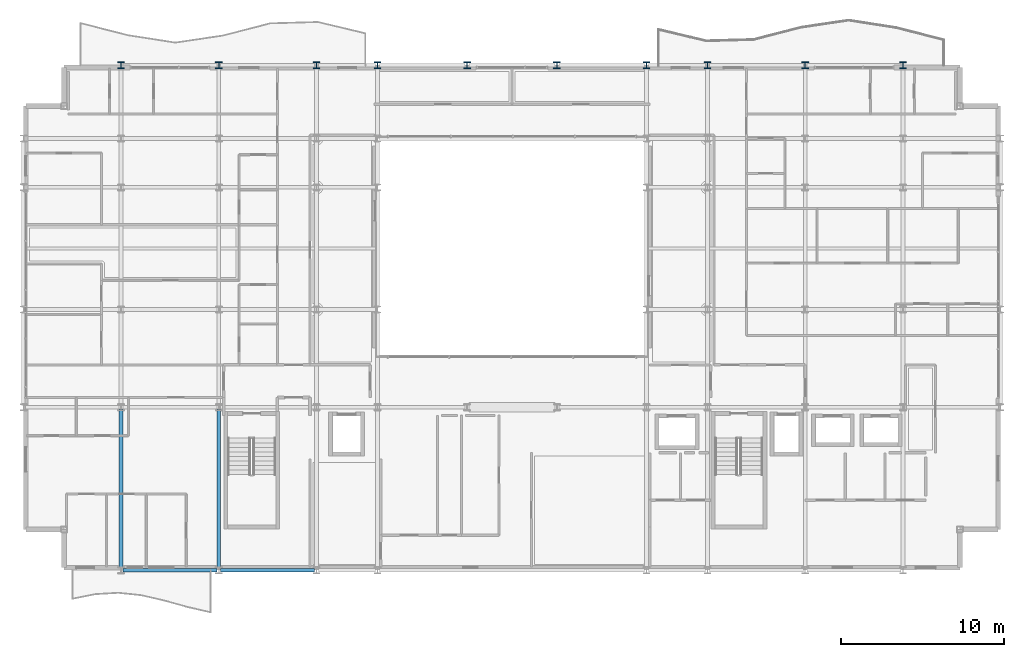
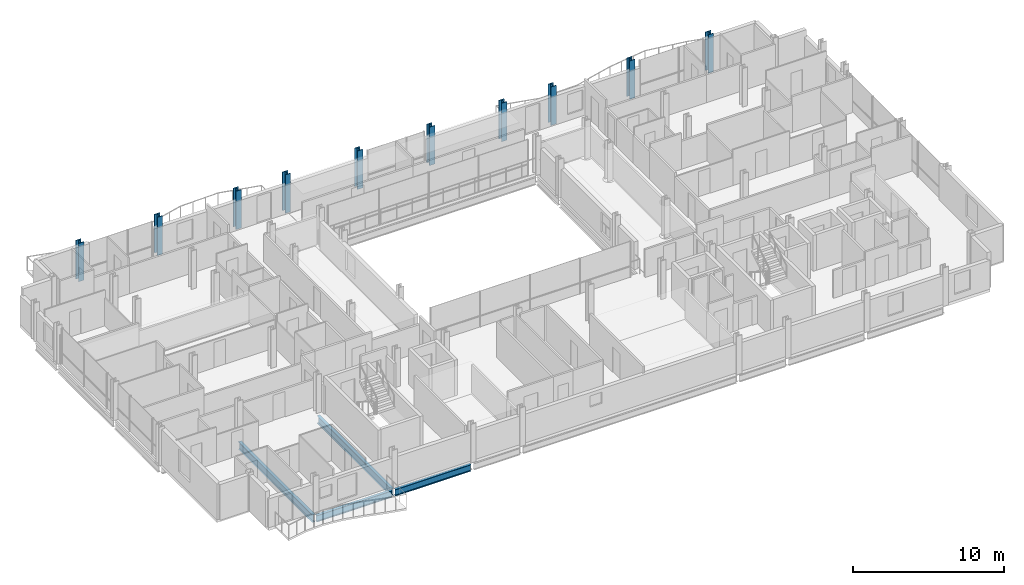
# One storey, part 3 of 41: 10 columns, 4 beams.
"""IFC4 building model written with IfcOpenShell, lengths in metres."""

import ifcopenshell
import ifcopenshell.guid

model = None  # the IFC model being written
_history = None  # IfcOwnerHistory: only IFC2X3 demands one
_inside = {}  # id of a spatial element -> (the spatial element, [elements in it])
_under = {}  # id of a project, library or spatial element -> (it, [spatial elements below it])
_declared = {}  # id of a project -> (the project, [libraries it declares])
_typed = {}  # id of a type object -> (the type object, [elements of that type])
_made_of = {}  # id of a material, layer set ... -> (it, [elements and type objects made of it])


def new_model(schema):
    """Start an empty IFC model of exactly this schema.

    Asked for "IFC4X3", IfcOpenShell would pick the latest addendum, in which some entities
    have other attributes; the version numbers below select the first issue.
    IFC2X3 requires an IfcOwnerHistory on every rooted entity: one is made here for all.
    """
    global model, _history
    if schema == "IFC4X3":
        model = ifcopenshell.file(schema_version=(4, 3, 0, 0))
    else:
        model = ifcopenshell.file(schema=schema)
    _inside.clear()
    _under.clear()
    _declared.clear()
    _typed.clear()
    _made_of.clear()
    _history = None
    if model.schema == "IFC2X3":
        org = make("IfcOrganization", Name="unknown")
        user = make(
            "IfcPersonAndOrganization",
            ThePerson=make("IfcPerson", FamilyName="unknown"),
            TheOrganization=org,
        )
        app = make(
            "IfcApplication",
            ApplicationDeveloper=org,
            Version="unknown",
            ApplicationFullName="unknown",
            ApplicationIdentifier="unknown",
        )
        _history = make(
            "IfcOwnerHistory",
            OwningUser=user,
            OwningApplication=app,
            ChangeAction="ADDED",
            CreationDate=0,
        )
    return model


def make(cls, **values):
    """One entity of the class cls with the attributes given. An attribute that is None is left unset."""
    return model.create_entity(
        cls, **{name: value for name, value in values.items() if value is not None}
    )


def rooted(cls, **values):
    """An entity with a GlobalId (a new one), such as an element, a storey or a relation."""
    return make(cls, GlobalId=ifcopenshell.guid.new(), OwnerHistory=_history, **values)


def si_unit(unit_type, name, prefix=None):
    """IfcSIUnit, for example si_unit("LENGTHUNIT", "METRE", prefix="MILLI")."""
    return make("IfcSIUnit", UnitType=unit_type, Prefix=prefix, Name=name)


def assignment(units):
    """IfcUnitAssignment: the units of a project."""
    return None if units is None else make("IfcUnitAssignment", Units=units)


def point(xyz):
    """IfcCartesianPoint."""
    return None if xyz is None else make("IfcCartesianPoint", Coordinates=xyz)


def direction(xyz):
    """IfcDirection."""
    return None if xyz is None else make("IfcDirection", DirectionRatios=xyz)


def frame(location, z_axis=None, x_axis=None):
    """IfcAxis2Placement3D, a coordinate frame: its origin and axes. An axis left out is left unset."""
    return make(
        "IfcAxis2Placement3D",
        Location=point(location),
        Axis=direction(z_axis),
        RefDirection=direction(x_axis),
    )


def frame_2d(location, x_axis=None):
    """IfcAxis2Placement2D, a coordinate frame in the plane: its origin and x axis."""
    return make(
        "IfcAxis2Placement2D", Location=point(location), RefDirection=direction(x_axis)
    )


def origin():
    """The frame at (0, 0, 0) with its axes left unset."""
    return frame((0.0, 0.0, 0.0))


def origin_2d():
    """The frame at (0, 0) in the plane with its x axis left unset."""
    return frame_2d((0.0, 0.0))


def place(relative_to, where):
    """IfcLocalPlacement: puts the frame where relative to a parent placement (None: the world)."""
    return make(
        "IfcLocalPlacement", PlacementRelTo=relative_to, RelativePlacement=where
    )


def context(
    kind, dimensions, precision=None, world=None, true_north=None, identifier=None
):
    """IfcGeometricRepresentationContext, for example the 3D "Model" context."""
    return make(
        "IfcGeometricRepresentationContext",
        ContextIdentifier=identifier,
        ContextType=kind,
        CoordinateSpaceDimension=dimensions,
        Precision=precision,
        WorldCoordinateSystem=world,
        TrueNorth=true_north,
    )


def subcontext(parent, identifier, kind, view, scale=None):
    """IfcGeometricRepresentationSubContext, for example "Body" below "Model"."""
    return make(
        "IfcGeometricRepresentationSubContext",
        ContextIdentifier=identifier,
        ContextType=kind,
        ParentContext=parent,
        TargetScale=scale,
        TargetView=view,
    )


def project(units=None, contexts=None):
    """IfcProject with its units and contexts."""
    return rooted(
        "IfcProject",
        Name="project",
        RepresentationContexts=contexts,
        UnitsInContext=assignment(units),
    )


def spatial(cls, under=None, at=None, **own):
    """A site, building, storey or space (cls), placed at a placement, below another one or the project."""
    s = rooted(cls, ObjectPlacement=at, **own)
    if under is not None:
        _under.setdefault(under.id(), (under, []))[1].append(s)
    return s


def profile(cls, at=None, kind="AREA", **sizes):
    """A parametric profile (cls). Its sizes go by their IFC names, for example OverallWidth=200.0."""
    return make(cls, ProfileType=kind, Position=at, **sizes)


def i_section(**sizes):
    """IfcIShapeProfileDef."""
    return profile("IfcIShapeProfileDef", **sizes)


def extrude(swept, where, along, depth):
    """IfcExtrudedAreaSolid: the profile swept, set in the frame where, extruded along a direction by depth."""
    return make(
        "IfcExtrudedAreaSolid",
        SweptArea=swept,
        Position=where,
        ExtrudedDirection=direction(along),
        Depth=depth,
    )


def shape(context_of_items, identifier, shape_type, items):
    """IfcShapeRepresentation: the items that make up one representation, for example the "Body"."""
    return make(
        "IfcShapeRepresentation",
        ContextOfItems=context_of_items,
        RepresentationIdentifier=identifier,
        RepresentationType=shape_type,
        Items=items,
    )


def material(Name=None, Category=None):
    """IfcMaterial."""
    return make("IfcMaterial", Name=Name, Category=Category)


def material_profile(
    of_material, cross_section, Name=None, Category=None, Priority=None
):
    """IfcMaterialProfile: a cross section and its material."""
    return make(
        "IfcMaterialProfile",
        Name=Name,
        Material=of_material,
        Profile=cross_section,
        Priority=Priority,
        Category=Category,
    )


def profile_set(profiles, Name=None, composite=None):
    """IfcMaterialProfileSet."""
    return make(
        "IfcMaterialProfileSet",
        Name=Name,
        MaterialProfiles=profiles,
        CompositeProfile=composite,
    )


def made_of(thing, what):
    """Note that an element or type object is made of a material, layer set ...; save() writes the relation."""
    if what is not None:
        _made_of.setdefault(what.id(), (what, []))[1].append(thing)
    return thing


def type_object(cls, material=None, **own):
    """A type object (cls), such as IfcWallType, which elements share."""
    return made_of(rooted(cls, **own), material)


def element(
    cls,
    number,
    at=None,
    inside=None,
    cuts=None,
    type_object=None,
    material=None,
    context=None,
    identifier="Body",
    shape_type=None,
    held_by="IfcProductDefinitionShape",
    body=None,
    shapes=None,
    **own,
):
    """One element of the class cls, such as IfcWall. Its Tag is "e" and its number.

    at: its placement. inside: the storey or other place that contains it. cuts: it is an
    opening in that element (IfcRelVoidsElement). A single representation is given by context,
    identifier, shape_type and body (its items); several are given by shapes. held_by: the class
    of the entity that holds the representations. save() writes the other relations.
    """
    e = rooted(cls, Tag="e%d" % number, ObjectPlacement=at, **own)
    if body is not None:
        shapes = [shape(context, identifier, shape_type, body)]
    if shapes is not None:
        e.Representation = make(held_by, Representations=shapes)
    if inside is not None:
        _inside.setdefault(inside.id(), (inside, []))[1].append(e)
    if cuts is not None:
        rooted(
            "IfcRelVoidsElement", RelatingBuildingElement=cuts, RelatedOpeningElement=e
        )
    if type_object is not None:
        _typed.setdefault(type_object.id(), (type_object, []))[1].append(e)
    return made_of(e, material)


def aggregate(whole, parts):
    """IfcRelAggregates: a whole, such as a stair, and the parts it consists of."""
    return rooted("IfcRelAggregates", RelatingObject=whole, RelatedObjects=parts)


def save(model, path):
    """Write the relations noted so far, then the file.

    IfcRelAggregates (storeys below a building ...), IfcRelContainedInSpatialStructure (elements
    in a storey), IfcRelDefinesByType, IfcRelAssociatesMaterial and IfcRelDeclares: one each for
    every whole, place, type object, material and project.
    """
    for whole, parts in _under.values():
        aggregate(whole, parts)
    for where, things in _inside.values():
        rooted(
            "IfcRelContainedInSpatialStructure",
            RelatedElements=things,
            RelatingStructure=where,
        )
    for kind, things in _typed.values():
        rooted("IfcRelDefinesByType", RelatedObjects=things, RelatingType=kind)
    for what, things in _made_of.values():
        rooted("IfcRelAssociatesMaterial", RelatedObjects=things, RelatingMaterial=what)
    for by, libraries in _declared.values():
        rooted("IfcRelDeclares", RelatingContext=by, RelatedDefinitions=libraries)
    model.write(path)


model = new_model("IFC4")

# Units and contexts
model_context = context("Model", 3, precision=1e-05, world=origin(), true_north=direction((0.0, 1.0)))
body_context = subcontext(model_context, "Body", "Model", "MODEL_VIEW")
ifc_project = project(units=[si_unit("LENGTHUNIT", "METRE"), si_unit("AREAUNIT", "SQUARE_METRE"), si_unit("VOLUMEUNIT", "CUBIC_METRE"), si_unit("PLANEANGLEUNIT", "RADIAN"), si_unit("MASSUNIT", "GRAM", prefix="KILO")], contexts=[model_context])

# Site, building, storey
site_placement = place(None, origin())
site = spatial("IfcSite", under=ifc_project, at=site_placement, CompositionType="ELEMENT")
building_placement = place(site_placement, origin())
building = spatial("IfcBuilding", under=site, at=building_placement, Name="Brevholm Reach", CompositionType="ELEMENT")
storey_placement = place(building_placement, frame((0.0, 0.0, 157.300048828125)))
storey = spatial("IfcBuildingStorey", under=building, at=storey_placement, Name="L47", CompositionType="ELEMENT", Elevation=157.300048828125)

# Columns
ifc_material_1 = material(Name="Structural Steel S355J2", Category="steel")
ifc_material_profile_1 = material_profile(ifc_material_1, i_section(OverallWidth=0.406982421875, OverallDepth=0.4189453125, WebThickness=0.030517578125, FlangeThickness=0.04931640625, FilletRadius=0.01513671875, at=origin_2d()), Name="UKC 356x406x393")
ifc_profile_set_1 = profile_set([ifc_material_profile_1], Name="Structural Steel S355J2")
column_type = type_object("IfcColumnType", Name="COL-UC4", PredefinedType="COLUMN", material=ifc_profile_set_1)
for number, where, z_axis, x_axis, name in (
    (1, (6.0, 31.0, 0.0), (0.0, 0.0, 1.0), (1.0, 0.0, 0.0), "L47 Column 12"),
    (2, (12.0, 31.0, 0.0), (0.0, 0.0, 1.0), (1.0, 0.0, 0.0), "L47 Column 18"),
    (3, (18.0, 31.0, 0.0), (0.0, 0.0, 1.0), (1.0, 0.0, 0.0), "L47 Column 24"),
    (4, (21.75, 31.0, 0.0), (0.0, 0.0, 1.0), (1.0, 0.0, 0.0), "L47 Column 30"),
    (5, (27.25, 31.0, 0.0), (0.0, 0.0, 1.0), (1.0, 0.0, 0.0), "L47 Column 32"),
    (6, (32.75, 31.0, 0.0), (0.0, 0.0, 1.0), (1.0, 0.0, 0.0), "L47 Column 34"),
    (7, (38.25, 31.0, 0.0), (0.0, 0.0, 1.0), (1.0, 0.0, 0.0), "L47 Column 40"),
    (8, (42.0, 31.0, 0.0), (0.0, 0.0, 1.0), (1.0, 0.0, 0.0), "L47 Column 46"),
    (9, (48.0, 31.0, 0.0), (0.0, 0.0, 1.0), (1.0, 0.0, 0.0), "L47 Column 52"),
    (10, (54.0, 31.0, 0.0), (0.0, 0.0, 1.0), (1.0, 0.0, 0.0), "L47 Column 58"),
):
    element("IfcColumn", number, at=place(storey_placement, frame(where, z_axis=z_axis, x_axis=x_axis)), inside=storey, type_object=column_type, Name=name, PredefinedType="COLUMN", context=body_context, shape_type="SweptSolid", body=[
        extrude(i_section(OverallWidth=0.406982421875, OverallDepth=0.4189453125, WebThickness=0.030517578125, FlangeThickness=0.04931640625, FilletRadius=0.01513671875, at=origin_2d()), origin(), (0.0, 0.0, 1.0), 3.099853515625),
    ])

# Beams
ifc_material_2 = material(Name="Structural Steel S355J2", Category="steel")
ifc_material_profile_2 = material_profile(ifc_material_2, i_section(OverallWidth=0.209228515625, OverallDepth=0.533203125, WebThickness=0.010009765625, FlangeThickness=0.015625, FilletRadius=0.0126953125, at=origin_2d()), Name="UKB 533x210x92")
ifc_profile_set_2 = profile_set([ifc_material_profile_2], Name="Structural Steel S355J2")
beam_type_1 = type_object("IfcBeamType", Name="BM-SP533", PredefinedType="SPANDREL", material=ifc_profile_set_2)
for number, where, z_axis, x_axis, name in (
    (11, (6.1201171875, 0.0, -0.486572265625), (1.0, 0.0, 0.0), (0.0, 1.0, 0.0), "L47 SP-02 Framing Beam"),
    (12, (12.1201171875, 0.0, -0.486572265625), (1.0, 0.0, 0.0), (0.0, 1.0, 0.0), "L47 SP-02 Framing Beam"),
):
    element("IfcBeam", number, at=place(storey_placement, frame(where, z_axis=z_axis, x_axis=x_axis)), inside=storey, type_object=beam_type_1, Name=name, PredefinedType="SPANDREL", context=body_context, shape_type="SweptSolid", body=[
        extrude(i_section(OverallWidth=0.209228515625, OverallDepth=0.533203125, WebThickness=0.010009765625, FlangeThickness=0.015625, FilletRadius=0.0126953125, at=origin_2d()), origin(), (0.0, 0.0, 1.0), 5.759765625),
    ])
ifc_material_3 = material(Name="Structural Steel S355J2", Category="steel")
ifc_material_profile_3 = material_profile(ifc_material_3, i_section(OverallWidth=0.22900390625, OverallDepth=0.6123046875, WebThickness=0.011962890625, FlangeThickness=0.01953125, FilletRadius=0.0126953125, at=origin_2d()), Name="UKB 610x229x125")
ifc_profile_set_3 = profile_set([ifc_material_profile_3], Name="Structural Steel S355J2")
beam_type_2 = type_object("IfcBeamType", Name="BM-SP610", PredefinedType="SPANDREL", material=ifc_profile_set_3)
for number, where, z_axis, x_axis, name in (
    (13, (6.0, 0.1201171875, -0.526123046875), (0.0, 1.0, 0.0), (-1.0, 0.0, 0.0), "L47 SP-01 Framing Beam"),
    (14, (12.0, 0.1201171875, -0.526123046875), (0.0, 1.0, 0.0), (-1.0, 0.0, 0.0), "L47 SP-01 Framing Beam"),
):
    element("IfcBeam", number, at=place(storey_placement, frame(where, z_axis=z_axis, x_axis=x_axis)), inside=storey, type_object=beam_type_2, Name=name, PredefinedType="SPANDREL", context=body_context, shape_type="SweptSolid", body=[
        extrude(i_section(OverallWidth=0.22900390625, OverallDepth=0.6123046875, WebThickness=0.011962890625, FlangeThickness=0.01953125, FilletRadius=0.0126953125, at=origin_2d()), origin(), (0.0, 0.0, 1.0), 9.759765625),
    ])

save(model, "model.ifc")
